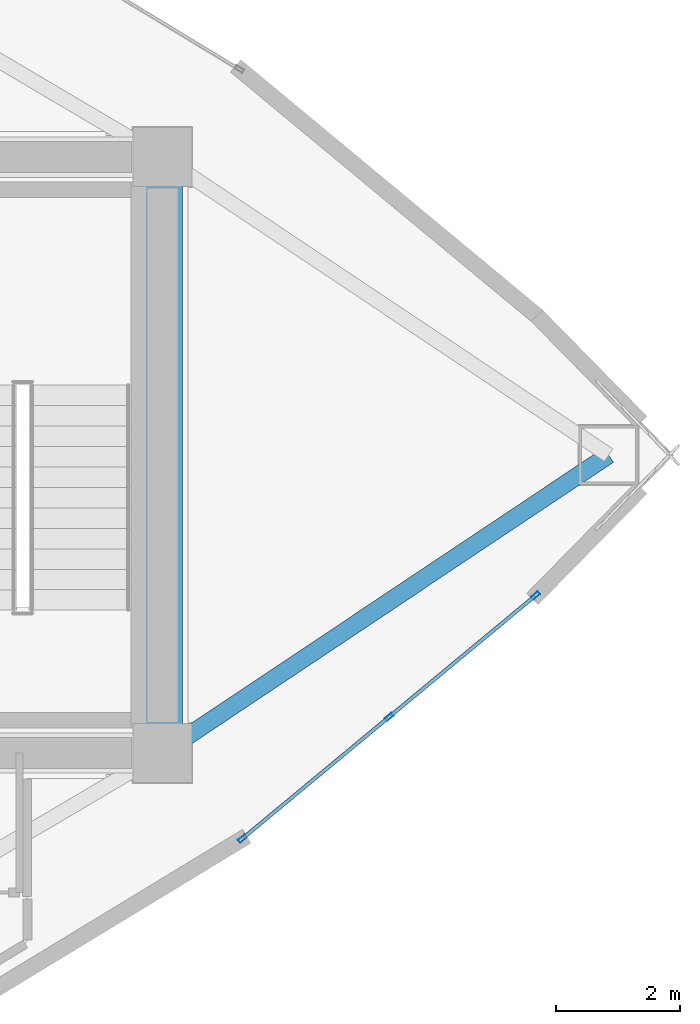
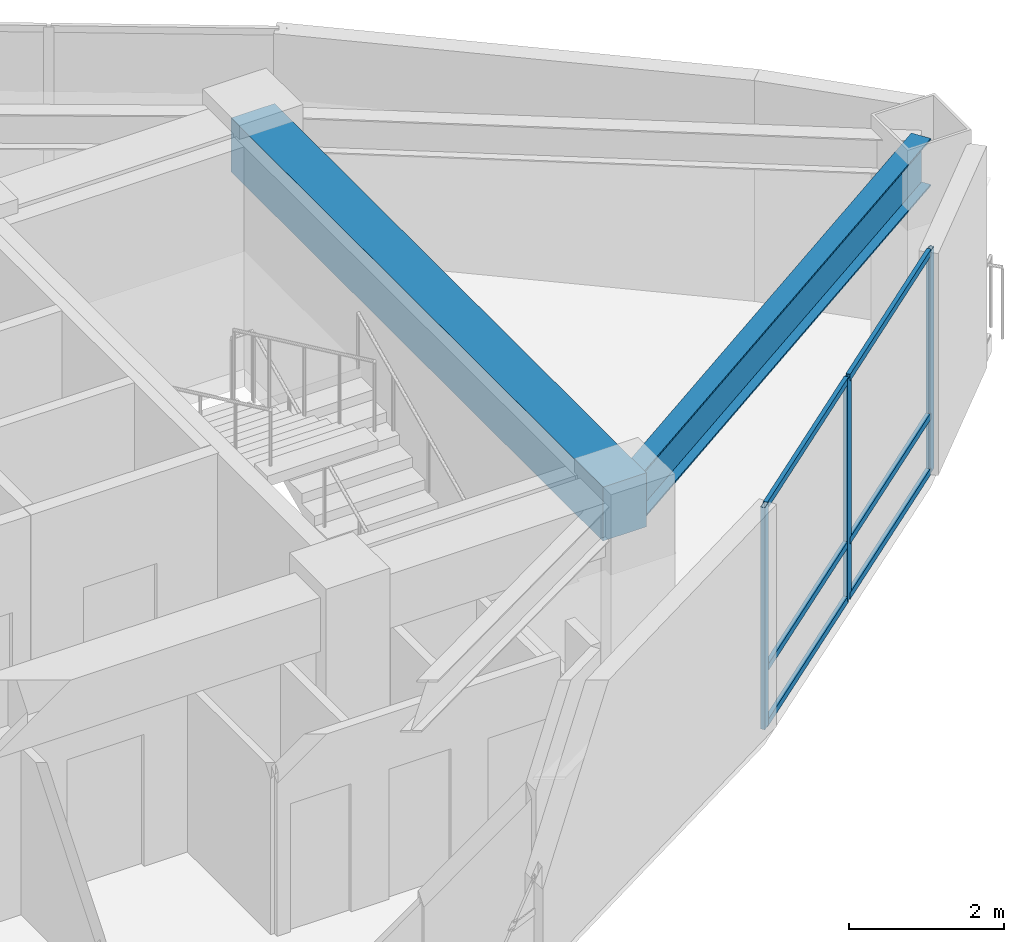
# One storey, part 10 of 17: 9 members, 2 beams, 1 element without a shape of its own.
"""IFC4 building model written with IfcOpenShell, lengths in metres."""

from ifc_helpers import new_model, si_unit, direction, frame, origin, origin_2d, place, context, subcontext, project, spatial, rectangle, hollow_rectangle, i_section, extrude, material, layer, layer_set, material_profile, profile_set, type_object, element, aggregate, save


model = new_model("IFC4")

# Units and contexts
model_context = context("Model", 3, precision=1e-05, world=origin(), true_north=direction((0.0, 1.0)))
body_context = subcontext(model_context, "Body", "Model", "MODEL_VIEW")
ifc_project = project(units=[si_unit("LENGTHUNIT", "METRE"), si_unit("AREAUNIT", "SQUARE_METRE"), si_unit("VOLUMEUNIT", "CUBIC_METRE"), si_unit("PLANEANGLEUNIT", "RADIAN"), si_unit("MASSUNIT", "GRAM", prefix="KILO")], contexts=[model_context])

# Site, building, storey
site_placement = place(None, origin())
site = spatial("IfcSite", under=ifc_project, at=site_placement, CompositionType="ELEMENT")
building_placement = place(site_placement, origin())
building = spatial("IfcBuilding", under=site, at=building_placement, Name="Menara Vayukalpa", CompositionType="ELEMENT")
storey_placement = place(building_placement, frame((0.0, 0.0, 206.39990234375)))
storey = spatial("IfcBuildingStorey", under=building, at=storey_placement, Name="L52", CompositionType="ELEMENT", Elevation=206.39990234375)

# Beams
ifc_material_1 = material(Name="Concrete C60/75", Category="concrete")
ifc_material_profile_1 = material_profile(ifc_material_1, rectangle(XDim=0.64990234375, YDim=0.85009765625, at=origin_2d()), Name="RC 650x850")
ifc_profile_set_1 = profile_set([ifc_material_profile_1], Name="Concrete C60/75")
beam_type_1 = type_object("IfcBeamType", Name="BM-CB1", PredefinedType="BEAM", material=ifc_profile_set_1)
beam_1_placement = place(storey_placement, frame((33.39990234375, 17.199951171875, 3.0751953125), z_axis=(0.0, 1.0, 0.0), x_axis=(-1.0, 0.0, 0.0)))
element("IfcBeam", 1, at=beam_1_placement, inside=storey, type_object=beam_type_1, Name="L52 Core Tie Beam CBR8", PredefinedType="BEAM", context=body_context, shape_type="SweptSolid", body=[
    extrude(rectangle(XDim=0.64990234375, YDim=0.85009765625, at=origin_2d()), origin(), (0.0, 0.0, 1.0), 9.60009765625),
])
ifc_material_2 = material(Name="Steel S355", Category="steel")
ifc_material_profile_2 = material_profile(ifc_material_2, i_section(OverallWidth=0.280029296875, OverallDepth=0.75, WebThickness=0.013916015625, FlangeThickness=0.02490234375, at=origin_2d()), Name="WF 750x280x14x25")
ifc_profile_set_2 = profile_set([ifc_material_profile_2], Name="Steel S355")
beam_type_2 = type_object("IfcBeamType", Name="BM-PG4", PredefinedType="BEAM", material=ifc_profile_set_2)
beam_2_placement = place(storey_placement, frame((33.60791015625, 17.3388671875, 3.125), z_axis=(0.831719080732, 0.555196695547, 0.0), x_axis=(-0.555196695547, 0.831719080732, 0.0)))
element("IfcBeam", 2, at=beam_2_placement, inside=storey, type_object=beam_type_2, Name="L52 Primary Radial Girder RG01", PredefinedType="BEAM", context=body_context, shape_type="SweptSolid", body=[
    extrude(i_section(OverallWidth=0.280029296875, OverallDepth=0.75, WebThickness=0.013916015625, FlangeThickness=0.02490234375, at=origin_2d()), origin(), (0.0, 0.0, 1.0), 8.3955078125),
])

# Curtain wall, members
ifc_material_3 = material(Name="Anodised Terracotta Aluminium Alloy 6063-T6", Category="masonry")
ifc_layer = layer(ifc_material_3, 0.139892578125)
ifc_layer_set = layer_set([ifc_layer], Name="Anodised Terracotta Aluminium Alloy 6063-T6")
curtain_wall_type = type_object("IfcCurtainWallType", Name="CW-CW5", PredefinedType="USERDEFINED", material=ifc_layer_set)
curtain_wall_placement = place(storey_placement, origin())
curtain_wall = element("IfcCurtainWall", 3, at=curtain_wall_placement, inside=storey, type_object=curtain_wall_type, Name="L52 High Rise Tapered Curtain Wall CW5 19", ObjectType="UNITISED", PredefinedType="USERDEFINED")
ifc_material_4 = material(Name="Anodised Terracotta Aluminium Alloy 6063-T6", Category="masonry")
ifc_material_profile_3 = material_profile(ifc_material_4, hollow_rectangle(XDim=0.06005859375, YDim=0.139892578125, WallThickness=0.00341796875, at=origin_2d()), Name="ALU 60x140x3.5")
ifc_profile_set_3 = profile_set([ifc_material_profile_3], Name="Anodised Terracotta Aluminium Alloy 6063-T6")
member_type_1 = type_object("IfcMemberType", Name="CWM-CW5", PredefinedType="MULLION", material=ifc_profile_set_3)
member_1_placement = place(storey_placement, frame((34.6904296875, 15.81982421875, 0.0), z_axis=(0.0, 0.0, 1.0), x_axis=(-0.638337268341, 0.769756800455, 0.0)))
member_1 = element("IfcMember", 4, at=member_1_placement, type_object=member_type_1, Name="CW5 mullion 1", PredefinedType="MULLION", context=body_context, shape_type="SweptSolid", body=[
    extrude(hollow_rectangle(XDim=0.06005859375, YDim=0.139892578125, WallThickness=0.00341796875, at=origin_2d()), origin(), (0.0, 0.0, 1.0), 3.5),
])
member_2_placement = place(storey_placement, frame((37.05322265625, 17.779296875, 0.0), z_axis=(0.0, 0.0, 1.0), x_axis=(-0.638337268341, 0.769756800455, 0.0)))
member_2 = element("IfcMember", 5, at=member_2_placement, type_object=member_type_1, Name="CW5 mullion 2", PredefinedType="MULLION", context=body_context, shape_type="SweptSolid", body=[
    extrude(hollow_rectangle(XDim=0.06005859375, YDim=0.139892578125, WallThickness=0.00341796875, at=origin_2d()), origin(), (0.0, 0.0, 1.0), 3.5),
])
member_3_placement = place(storey_placement, frame((39.416015625, 19.73876953125, 0.0), z_axis=(0.0, 0.0, 1.0), x_axis=(-0.638337268341, 0.769756800455, 0.0)))
member_3 = element("IfcMember", 6, at=member_3_placement, type_object=member_type_1, Name="CW5 mullion 3", PredefinedType="MULLION", context=body_context, shape_type="SweptSolid", body=[
    extrude(hollow_rectangle(XDim=0.06005859375, YDim=0.139892578125, WallThickness=0.00341796875, at=origin_2d()), origin(), (0.0, 0.0, 1.0), 3.5),
])
ifc_material_5 = material(Name="Anodised Terracotta Aluminium Alloy 6063-T6", Category="masonry")
ifc_material_profile_4 = material_profile(ifc_material_5, hollow_rectangle(XDim=0.06005859375, YDim=0.10498046875, WallThickness=0.0029296875, at=origin_2d()), Name="ALU 60x105x3")
ifc_profile_set_4 = profile_set([ifc_material_profile_4], Name="Anodised Terracotta Aluminium Alloy 6063-T6")
member_type_2 = type_object("IfcMemberType", Name="CWT-CW5", PredefinedType="USERDEFINED", material=ifc_profile_set_4)
member_4_placement = place(storey_placement, frame((34.71337890625, 15.839111328125, 0.030029296875), z_axis=(0.76978809558, 0.638299528359, 0.0), x_axis=(-0.638299528359, 0.76978809558, 0.0)))
member_4 = element("IfcMember", 7, at=member_4_placement, type_object=member_type_2, Name="CW5 transom 1.1", ObjectType="TRANSOM", PredefinedType="USERDEFINED", context=body_context, shape_type="SweptSolid", body=[
    extrude(hollow_rectangle(XDim=0.06005859375, YDim=0.10498046875, WallThickness=0.0029296875, at=origin_2d()), origin(), (0.0, 0.0, 1.0), 3.009765625),
])
member_5_placement = place(storey_placement, frame((34.71337890625, 15.839111328125, 0.900146484375), z_axis=(0.76978809558, 0.638299528359, 0.0), x_axis=(-0.638299528359, 0.76978809558, 0.0)))
member_5 = element("IfcMember", 8, at=member_5_placement, type_object=member_type_2, Name="CW5 transom 1.2", ObjectType="TRANSOM", PredefinedType="USERDEFINED", context=body_context, shape_type="SweptSolid", body=[
    extrude(hollow_rectangle(XDim=0.06005859375, YDim=0.10498046875, WallThickness=0.0029296875, at=origin_2d()), origin(), (0.0, 0.0, 1.0), 3.009765625),
])
member_6_placement = place(storey_placement, frame((34.71337890625, 15.839111328125, 3.47021484375), z_axis=(0.76978809558, 0.638299528359, 0.0), x_axis=(-0.638299528359, 0.76978809558, 0.0)))
member_6 = element("IfcMember", 9, at=member_6_placement, type_object=member_type_2, Name="CW5 transom 1.3", ObjectType="TRANSOM", PredefinedType="USERDEFINED", context=body_context, shape_type="SweptSolid", body=[
    extrude(hollow_rectangle(XDim=0.06005859375, YDim=0.10498046875, WallThickness=0.0029296875, at=origin_2d()), origin(), (0.0, 0.0, 1.0), 3.009765625),
])
member_7_placement = place(storey_placement, frame((37.076416015625, 17.79833984375, 0.030029296875), z_axis=(0.769755043812, 0.638339386632, 0.0), x_axis=(-0.638339386632, 0.769755043812, 0.0)))
member_7 = element("IfcMember", 10, at=member_7_placement, type_object=member_type_2, Name="CW5 transom 2.1", ObjectType="TRANSOM", PredefinedType="USERDEFINED", context=body_context, shape_type="SweptSolid", body=[
    extrude(hollow_rectangle(XDim=0.06005859375, YDim=0.10498046875, WallThickness=0.0029296875, at=origin_2d()), origin(), (0.0, 0.0, 1.0), 3.009521484375),
])
member_8_placement = place(storey_placement, frame((37.076416015625, 17.79833984375, 0.900146484375), z_axis=(0.769755043812, 0.638339386632, 0.0), x_axis=(-0.638339386632, 0.769755043812, 0.0)))
member_8 = element("IfcMember", 11, at=member_8_placement, type_object=member_type_2, Name="CW5 transom 2.2", ObjectType="TRANSOM", PredefinedType="USERDEFINED", context=body_context, shape_type="SweptSolid", body=[
    extrude(hollow_rectangle(XDim=0.06005859375, YDim=0.10498046875, WallThickness=0.0029296875, at=origin_2d()), origin(), (0.0, 0.0, 1.0), 3.009521484375),
])
member_9_placement = place(storey_placement, frame((37.076416015625, 17.79833984375, 3.47021484375), z_axis=(0.769755043812, 0.638339386632, 0.0), x_axis=(-0.638339386632, 0.769755043812, 0.0)))
member_9 = element("IfcMember", 12, at=member_9_placement, type_object=member_type_2, Name="CW5 transom 2.3", ObjectType="TRANSOM", PredefinedType="USERDEFINED", context=body_context, shape_type="SweptSolid", body=[
    extrude(hollow_rectangle(XDim=0.06005859375, YDim=0.10498046875, WallThickness=0.0029296875, at=origin_2d()), origin(), (0.0, 0.0, 1.0), 3.009521484375),
])
aggregate(curtain_wall, [member_1, member_2, member_3, member_4, member_5, member_6, member_7, member_8, member_9])

save(model, "model.ifc")
